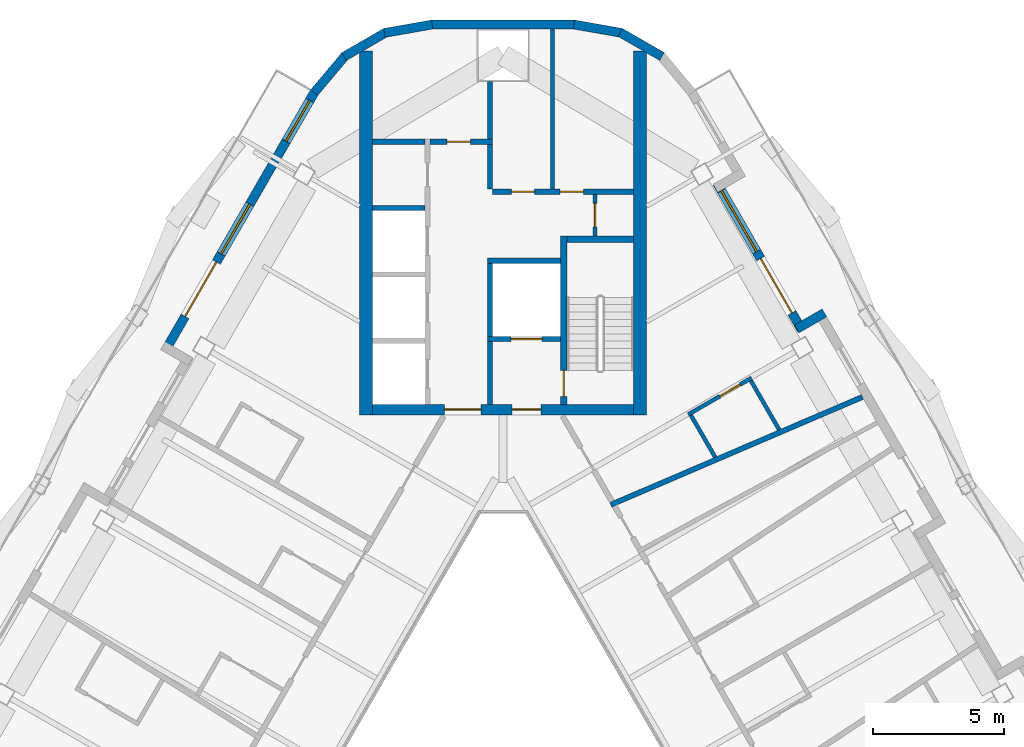
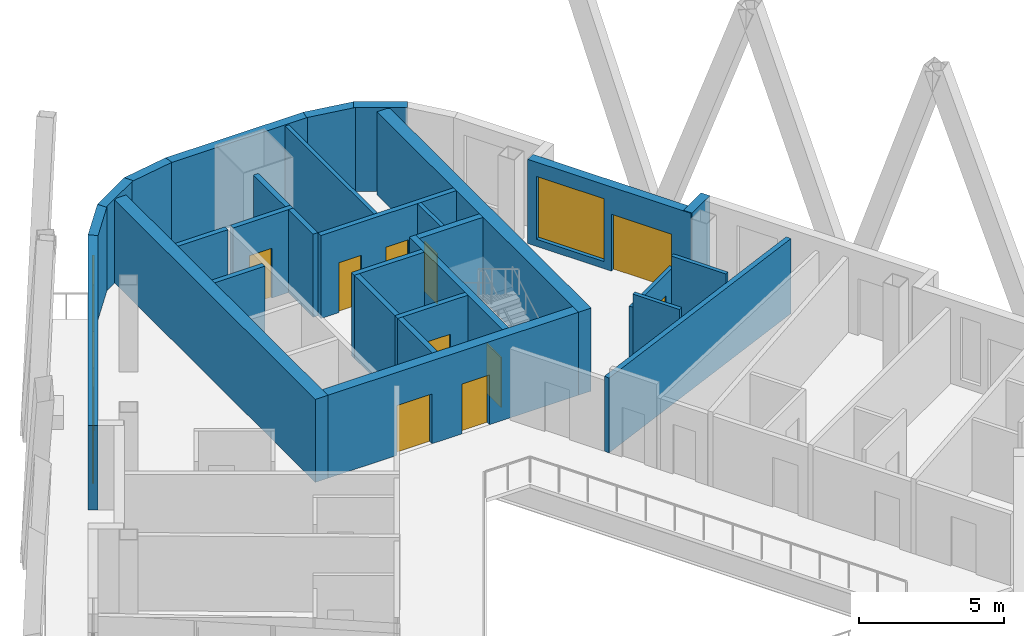
# One storey, part 7 of 14: 30 walls, 11 doors, 3 windows, 14 openings.
"""IFC4 building model written with IfcOpenShell, lengths in metres."""

from ifc_helpers import new_model, si_unit, direction, frame, frame_2d, origin, place, context, subcontext, project, spatial, rectangle, extrude, material, layer, layer_set, type_object, element, fill, save


model = new_model("IFC4")

# Units and contexts
model_context = context("Model", 3, precision=1e-05, world=origin(), true_north=direction((0.0, 1.0)))
body_context = subcontext(model_context, "Body", "Model", "MODEL_VIEW")
ifc_project = project(units=[si_unit("LENGTHUNIT", "METRE"), si_unit("AREAUNIT", "SQUARE_METRE"), si_unit("VOLUMEUNIT", "CUBIC_METRE"), si_unit("PLANEANGLEUNIT", "RADIAN"), si_unit("MASSUNIT", "GRAM", prefix="KILO")], contexts=[model_context])

# Site, building, storey
site_placement = place(None, origin())
site = spatial("IfcSite", under=ifc_project, at=site_placement, CompositionType="ELEMENT")
building_placement = place(site_placement, origin())
building = spatial("IfcBuilding", under=site, at=building_placement, Name="Apuvela Tower Hotel", CompositionType="ELEMENT")
storey_placement = place(building_placement, frame((0.0, 0.0, 257.800048828125)))
storey = spatial("IfcBuildingStorey", under=building, at=storey_placement, Name="L63", CompositionType="ELEMENT", Elevation=257.800048828125)

# Wall, openings, doors
ifc_material_1 = material(Name="Concrete C50/60", Category="concrete")
ifc_layer_1 = layer(ifc_material_1, 0.39990234375)
ifc_layer_set_1 = layer_set([ifc_layer_1], Name="COR-WALL-CORE-400")
wall_type_1 = type_object("IfcWallType", Name="COR-WALL-CORE-400", PredefinedType="SHEAR", material=ifc_layer_set_1)
wall_1_placement = place(storey_placement, frame((5.0, 13.10009765625, 0.0), z_axis=(0.0, 0.0, 1.0), x_axis=(-1.0, 0.0, 0.0)))
wall_1 = element("IfcWall", 1, at=wall_1_placement, inside=storey, type_object=wall_type_1, Name="Core wall N", PredefinedType="SHEAR", context=body_context, shape_type="SweptSolid", body=[
    extrude(rectangle(XDim=10.0, YDim=0.39990234375, at=frame_2d((5.0, 0.0))), origin(), (0.0, 0.0, 1.0), 3.5),
])
opening_1_placement = place(wall_1_placement, frame((3.550048828125, 0.0, 0.0)))
opening_1 = element("IfcOpeningElement", 2, at=opening_1_placement, cuts=wall_1, Name="Opening N-FD", PredefinedType="OPENING", context=body_context, shape_type="SweptSolid", body=[
    extrude(rectangle(XDim=1.10009765625, YDim=2.10009765625, at=frame_2d((0.550048828125, 1.050048828125))), frame((0.0, 0.2099609375, 0.0), z_axis=(0.0, -1.0, 0.0), x_axis=(1.0, 0.0, 0.0)), (0.0, 0.0, 1.0), 0.419921875),
])
opening_2_placement = place(wall_1_placement, frame((5.85009765625, 0.0, 0.0)))
opening_2 = element("IfcOpeningElement", 3, at=opening_2_placement, cuts=wall_1, Name="Opening N-GD", PredefinedType="OPENING", context=body_context, shape_type="SweptSolid", body=[
    extrude(rectangle(XDim=1.39990234375, YDim=2.10009765625, at=frame_2d((0.699951171875, 1.050048828125))), frame((0.0, 0.2099609375, 0.0), z_axis=(0.0, -1.0, 0.0), x_axis=(1.0, 0.0, 0.0)), (0.0, 0.0, 1.0), 0.419921875),
])
ifc_material_2 = material(Name="Steel fire door, powder coated", Category="steel")
door_type_1 = type_object("IfcDoorType", Name="COR-FD-1100", OperationType="NOTDEFINED", PredefinedType="DOOR", material=ifc_material_2)
door_1_placement = place(opening_1_placement, frame((1.10009765625, 0.0, 0.0), z_axis=(0.0, 0.0, 1.0), x_axis=(-1.0, 0.0, 0.0)))
door_1 = element("IfcDoor", 4, at=door_1_placement, inside=storey, type_object=door_type_1, Name="Firefighting lobby door N-FD", OperationType="SINGLE_SWING_LEFT", OverallHeight=2.10009765625, OverallWidth=1.10009765625, PredefinedType="DOOR", context=body_context, shape_type="SweptSolid", body=[
    extrude(rectangle(XDim=1.10009765625, YDim=2.10009765625, at=frame_2d((0.550048828125, 1.050048828125))), frame((0.0, 0.02490234375, 0.0), z_axis=(0.0, -1.0, 0.0), x_axis=(1.0, 0.0, 0.0)), (0.0, 0.0, 1.0), 0.050048828125),
])
fill(opening_1, door_1)
ifc_material_3 = material(Name="Glazed steel fire door", Category="steel")
door_type_2 = type_object("IfcDoorType", Name="COR-GD-1400", OperationType="DOUBLE_DOOR_SINGLE_SWING", PredefinedType="DOOR", material=ifc_material_3)
door_2_placement = place(opening_2_placement, frame((1.39990234375, 0.0, 0.0), z_axis=(0.0, 0.0, 1.0), x_axis=(-1.0, 0.0, 0.0)))
door_2 = element("IfcDoor", 5, at=door_2_placement, inside=storey, type_object=door_type_2, Name="Lift lobby door N-GD", OperationType="DOUBLE_DOOR_SINGLE_SWING", OverallHeight=2.10009765625, OverallWidth=1.39990234375, PredefinedType="DOOR", context=body_context, shape_type="SweptSolid", body=[
    extrude(rectangle(XDim=1.39990234375, YDim=2.10009765625, at=frame_2d((0.699951171875, 1.050048828125))), frame((0.0, 0.02490234375, 0.0), z_axis=(0.0, -1.0, 0.0), x_axis=(1.0, 0.0, 0.0)), (0.0, 0.0, 1.0), 0.050048828125),
])
fill(opening_2, door_2)

# Walls
ifc_layer_2 = layer(ifc_material_1, 0.5)
ifc_layer_set_2 = layer_set([ifc_layer_2], Name="COR-WALL-CORE-500")
wall_type_2 = type_object("IfcWallType", Name="COR-WALL-CORE-500", PredefinedType="SHEAR", material=ifc_layer_set_2)
for number, where, z_axis, x_axis, name in (
    (6, (5.25, 12.89990234375, 0.0), (0.0, 0.0, 1.0), (0.0, 1.0, 0.0), "Core wall N"),
    (7, (-5.25, 12.89990234375, 0.0), (0.0, 0.0, 1.0), (0.0, 1.0, 0.0), "Core wall N"),
):
    element("IfcWall", number, at=place(storey_placement, frame(where, z_axis=z_axis, x_axis=x_axis)), inside=storey, type_object=wall_type_2, Name=name, PredefinedType="SHEAR", context=body_context, shape_type="SweptSolid", body=[
        extrude(rectangle(XDim=13.93408203125, YDim=0.5, at=frame_2d((6.967041015625, 0.0))), origin(), (0.0, 0.0, 1.0), 3.5),
    ])

# Wall, opening, door
ifc_material_4 = material(Name="Blockwork 150 mm plastered", Category="masonry")
ifc_layer_3 = layer(ifc_material_4, 0.14990234375)
ifc_layer_set_3 = layer_set([ifc_layer_3], Name="COR-WALL-PART-150")
wall_type_3 = type_object("IfcWallType", Name="COR-WALL-PART-150", PredefinedType="PARTITIONING", material=ifc_layer_set_3)
wall_2_placement = place(storey_placement, frame((3.52490234375, 19.75, 0.0), z_axis=(0.0, 0.0, 1.0), x_axis=(0.0, 1.0, 0.0)))
wall_2 = element("IfcWall", 8, at=wall_2_placement, inside=storey, type_object=wall_type_3, Name="Partition N", PredefinedType="PARTITIONING", context=body_context, shape_type="SweptSolid", body=[
    extrude(rectangle(XDim=1.60009765625, YDim=0.14990234375, at=frame_2d((0.800048828125, 0.0))), origin(), (0.0, 0.0, 1.0), 3.5),
])
opening_3_placement = place(wall_2_placement, frame((0.35009765625, 0.0, 0.0)))
opening_3 = element("IfcOpeningElement", 9, at=opening_3_placement, cuts=wall_2, Name="Opening N-RD", PredefinedType="OPENING", context=body_context, shape_type="SweptSolid", body=[
    extrude(rectangle(XDim=0.89990234375, YDim=2.10009765625, at=frame_2d((0.449951171875, 1.050048828125))), frame((0.0, 0.0849609375, 0.0), z_axis=(0.0, -1.0, 0.0), x_axis=(1.0, 0.0, 0.0)), (0.0, 0.0, 1.0), 0.169921875),
])
ifc_material_5 = material(Name="Steel access door, powder coated", Category="steel")
door_type_3 = type_object("IfcDoorType", Name="COR-RD-900", OperationType="NOTDEFINED", PredefinedType="DOOR", material=ifc_material_5)
door_3_placement = place(opening_3_placement, frame((0.89990234375, 0.0, 0.0), z_axis=(0.0, 0.0, 1.0), x_axis=(-1.0, 0.0, 0.0)))
door_3 = element("IfcDoor", 10, at=door_3_placement, inside=storey, type_object=door_type_3, Name="Riser door N-RD", OperationType="SINGLE_SWING_RIGHT", OverallHeight=2.10009765625, OverallWidth=0.89990234375, PredefinedType="DOOR", context=body_context, shape_type="SweptSolid", body=[
    extrude(rectangle(XDim=0.89990234375, YDim=2.10009765625, at=frame_2d((0.449951171875, 1.050048828125))), frame((0.0, 0.02490234375, 0.0), z_axis=(0.0, -1.0, 0.0), x_axis=(1.0, 0.0, 0.0)), (0.0, 0.0, 1.0), 0.050048828125),
])
fill(opening_3, door_3)

# Wall
wall_3_placement = place(storey_placement, frame((1.89990234375, 21.550048828125, 0.0), z_axis=(0.0, 0.0, 1.0), x_axis=(0.0, 1.0, 0.0)))
element("IfcWall", 11, at=wall_3_placement, inside=storey, type_object=wall_type_3, Name="Partition N", PredefinedType="PARTITIONING", context=body_context, shape_type="SweptSolid", body=[
    extrude(rectangle(XDim=6.126220703125, YDim=0.14990234375, at=frame_2d((3.06298828125, 0.0))), origin(), (0.0, 0.0, 1.0), 3.5),
])

# Wall, openings, doors
ifc_material_6 = material(Name="Blockwork 200 mm plastered", Category="masonry")
ifc_layer_4 = layer(ifc_material_6, 0.199951171875)
ifc_layer_set_4 = layer_set([ifc_layer_4], Name="COR-WALL-PART-200")
wall_type_4 = type_object("IfcWallType", Name="COR-WALL-PART-200", PredefinedType="PARTITIONING", material=ifc_layer_set_4)
wall_4_placement = place(storey_placement, frame((5.0, 21.449951171875, 0.0), z_axis=(0.0, 0.0, 1.0), x_axis=(-1.0, 0.0, 0.0)))
wall_4 = element("IfcWall", 12, at=wall_4_placement, inside=storey, type_object=wall_type_4, Name="Partition N", PredefinedType="PARTITIONING", context=body_context, shape_type="SweptSolid", body=[
    extrude(rectangle(XDim=5.39990234375, YDim=0.199951171875, at=frame_2d((2.699951171875, 0.0))), origin(), (0.0, 0.0, 1.0), 3.5),
])
opening_4_placement = place(wall_4_placement, frame((1.91259765625, 0.0, 0.0)))
opening_4 = element("IfcOpeningElement", 13, at=opening_4_placement, cuts=wall_4, Name="Opening N-RS1", PredefinedType="OPENING", context=body_context, shape_type="SweptSolid", body=[
    extrude(rectangle(XDim=0.89990234375, YDim=2.10009765625, at=frame_2d((0.449951171875, 1.050048828125))), frame((0.0, 0.10986328125, 0.0), z_axis=(0.0, -1.0, 0.0), x_axis=(1.0, 0.0, 0.0)), (0.0, 0.0, 1.0), 0.219970703125),
])
opening_5_placement = place(wall_4_placement, frame((3.78759765625, 0.0, 0.0)))
opening_5 = element("IfcOpeningElement", 14, at=opening_5_placement, cuts=wall_4, Name="Opening N-RS2", PredefinedType="OPENING", context=body_context, shape_type="SweptSolid", body=[
    extrude(rectangle(XDim=0.89990234375, YDim=2.10009765625, at=frame_2d((0.449951171875, 1.050048828125))), frame((0.0, 0.10986328125, 0.0), z_axis=(0.0, -1.0, 0.0), x_axis=(1.0, 0.0, 0.0)), (0.0, 0.0, 1.0), 0.219970703125),
])
door_type_4 = type_object("IfcDoorType", Name="COR-DR-900", OperationType="NOTDEFINED", PredefinedType="DOOR", material=ifc_material_2)
door_4_placement = place(opening_4_placement, frame((0.89990234375, 0.0, 0.0), z_axis=(0.0, 0.0, 1.0), x_axis=(-1.0, 0.0, 0.0)))
door_4 = element("IfcDoor", 15, at=door_4_placement, inside=storey, type_object=door_type_4, Name="Store door N-RS1", OperationType="SINGLE_SWING_LEFT", OverallHeight=2.10009765625, OverallWidth=0.89990234375, PredefinedType="DOOR", context=body_context, shape_type="SweptSolid", body=[
    extrude(rectangle(XDim=0.89990234375, YDim=2.10009765625, at=frame_2d((0.449951171875, 1.050048828125))), frame((0.0, 0.02490234375, 0.0), z_axis=(0.0, -1.0, 0.0), x_axis=(1.0, 0.0, 0.0)), (0.0, 0.0, 1.0), 0.050048828125),
])
fill(opening_4, door_4)
door_5_placement = place(opening_5_placement, frame((0.89990234375, 0.0, 0.0), z_axis=(0.0, 0.0, 1.0), x_axis=(-1.0, 0.0, 0.0)))
door_5 = element("IfcDoor", 16, at=door_5_placement, inside=storey, type_object=door_type_4, Name="Store door N-RS2", OperationType="SINGLE_SWING_RIGHT", OverallHeight=2.10009765625, OverallWidth=0.89990234375, PredefinedType="DOOR", context=body_context, shape_type="SweptSolid", body=[
    extrude(rectangle(XDim=0.89990234375, YDim=2.10009765625, at=frame_2d((0.449951171875, 1.050048828125))), frame((0.0, 0.02490234375, 0.0), z_axis=(0.0, -1.0, 0.0), x_axis=(1.0, 0.0, 0.0)), (0.0, 0.0, 1.0), 0.050048828125),
])
fill(opening_5, door_5)

# Wall
ifc_layer_5 = layer(ifc_material_1, 0.199951171875)
ifc_layer_set_5 = layer_set([ifc_layer_5], Name="COR-WALL-SHAFT-200")
wall_type_5 = type_object("IfcWallType", Name="COR-WALL-SHAFT-200", PredefinedType="SHEAR", material=ifc_layer_set_5)
wall_5_placement = place(storey_placement, frame((2.199951171875, 18.800048828125, 0.0), z_axis=(0.0, 0.0, 1.0), x_axis=(-1.0, 0.0, 0.0)))
element("IfcWall", 17, at=wall_5_placement, inside=storey, type_object=wall_type_5, Name="Shaft wall N", PredefinedType="SHEAR", context=body_context, shape_type="SweptSolid", body=[
    extrude(rectangle(XDim=2.800048828125, YDim=0.199951171875, at=frame_2d((1.39990234375, 0.0))), origin(), (0.0, 0.0, 1.0), 3.5),
])

# Wall, opening, door
wall_6_placement = place(storey_placement, frame((2.199951171875, 15.800048828125, 0.0), z_axis=(0.0, 0.0, 1.0), x_axis=(-1.0, 0.0, 0.0)))
wall_6 = element("IfcWall", 18, at=wall_6_placement, inside=storey, type_object=wall_type_5, Name="Shaft wall N", PredefinedType="SHEAR", context=body_context, shape_type="SweptSolid", body=[
    extrude(rectangle(XDim=2.800048828125, YDim=0.199951171875, at=frame_2d((1.39990234375, 0.0))), origin(), (0.0, 0.0, 1.0), 3.5),
])
opening_6_placement = place(wall_6_placement, frame((0.699951171875, 0.0, 0.0)))
opening_6 = element("IfcOpeningElement", 19, at=opening_6_placement, cuts=wall_6, Name="Opening N-LD-FS1", PredefinedType="OPENING", context=body_context, shape_type="SweptSolid", body=[
    extrude(rectangle(XDim=1.199951171875, YDim=2.10009765625, at=frame_2d((0.60009765625, 1.050048828125))), frame((0.0, 0.10986328125, 0.0), z_axis=(0.0, -1.0, 0.0), x_axis=(1.0, 0.0, 0.0)), (0.0, 0.0, 1.0), 0.219970703125),
])
ifc_material_7 = material(Name="Stainless steel lift landing door", Category="steel")
door_type_5 = type_object("IfcDoorType", Name="COR-LD-1200", OperationType="DOUBLE_DOOR_SLIDING", PredefinedType="DOOR", material=ifc_material_7)
door_6_placement = place(opening_6_placement, origin())
door_6 = element("IfcDoor", 20, at=door_6_placement, inside=storey, type_object=door_type_5, Name="Lift landing door N-LD-FS1", OperationType="DOUBLE_DOOR_SLIDING", OverallHeight=2.10009765625, OverallWidth=1.199951171875, PredefinedType="DOOR", context=body_context, shape_type="SweptSolid", body=[
    extrude(rectangle(XDim=1.199951171875, YDim=2.10009765625, at=frame_2d((0.60009765625, 1.050048828125))), frame((0.0, 0.02490234375, 0.0), z_axis=(0.0, -1.0, 0.0), x_axis=(1.0, 0.0, 0.0)), (0.0, 0.0, 1.0), 0.050048828125),
])
fill(opening_6, door_6)

# Walls
wall_7_placement = place(storey_placement, frame((-0.5, 15.89990234375, 0.0), z_axis=(0.0, 0.0, 1.0), x_axis=(0.0, 1.0, 0.0)))
element("IfcWall", 21, at=wall_7_placement, inside=storey, type_object=wall_type_5, Name="Shaft wall N", PredefinedType="SHEAR", context=body_context, shape_type="SweptSolid", body=[
    extrude(rectangle(XDim=2.800048828125, YDim=0.199951171875, at=frame_2d((1.39990234375, 0.0))), origin(), (0.0, 0.0, 1.0), 3.5),
])
wall_8_placement = place(storey_placement, frame((-0.5, 13.300048828125, 0.0), z_axis=(0.0, 0.0, 1.0), x_axis=(0.0, 1.0, 0.0)))
element("IfcWall", 22, at=wall_8_placement, inside=storey, type_object=wall_type_5, Name="Shaft wall N", PredefinedType="SHEAR", context=body_context, shape_type="SweptSolid", body=[
    extrude(rectangle(XDim=2.39990234375, YDim=0.199951171875, at=frame_2d((1.199951171875, 0.0))), origin(), (0.0, 0.0, 1.0), 3.5),
])

# Wall, opening, door
wall_9_placement = place(storey_placement, frame((-0.39990234375, 23.360107421875, 0.0), z_axis=(0.0, 0.0, 1.0), x_axis=(-1.0, 0.0, 0.0)))
wall_9 = element("IfcWall", 23, at=wall_9_placement, inside=storey, type_object=wall_type_5, Name="Shaft wall N", PredefinedType="SHEAR", context=body_context, shape_type="SweptSolid", body=[
    extrude(rectangle(XDim=2.400146484375, YDim=0.199951171875, at=frame_2d((1.2001953125, 0.0))), origin(), (0.0, 0.0, 1.0), 3.5),
])
opening_7_placement = place(wall_9_placement, frame((0.85009765625, 0.0, 0.0)))
opening_7 = element("IfcOpeningElement", 24, at=opening_7_placement, cuts=wall_9, Name="Opening N-REP", PredefinedType="OPENING", context=body_context, shape_type="SweptSolid", body=[
    extrude(rectangle(XDim=0.89990234375, YDim=2.10009765625, at=frame_2d((0.449951171875, 1.050048828125))), frame((0.0, 0.10986328125, 0.0), z_axis=(0.0, -1.0, 0.0), x_axis=(1.0, 0.0, 0.0)), (0.0, 0.0, 1.0), 0.219970703125),
])
door_7_placement = place(opening_7_placement, frame((0.89990234375, 0.0, 0.0), z_axis=(0.0, 0.0, 1.0), x_axis=(-1.0, 0.0, 0.0)))
door_7 = element("IfcDoor", 25, at=door_7_placement, inside=storey, type_object=door_type_4, Name="Store door N-REP", OperationType="SINGLE_SWING_LEFT", OverallHeight=2.10009765625, OverallWidth=0.89990234375, PredefinedType="DOOR", context=body_context, shape_type="SweptSolid", body=[
    extrude(rectangle(XDim=0.89990234375, YDim=2.10009765625, at=frame_2d((0.449951171875, 1.050048828125))), frame((0.0, 0.02490234375, 0.0), z_axis=(0.0, -1.0, 0.0), x_axis=(1.0, 0.0, 0.0)), (0.0, 0.0, 1.0), 0.050048828125),
])
fill(opening_7, door_7)

# Walls
wall_10_placement = place(storey_placement, frame((-0.5, 21.550048828125, 0.0), z_axis=(0.0, 0.0, 1.0), x_axis=(0.0, 1.0, 0.0)))
element("IfcWall", 26, at=wall_10_placement, inside=storey, type_object=wall_type_5, Name="Shaft wall N", PredefinedType="SHEAR", context=body_context, shape_type="SweptSolid", body=[
    extrude(rectangle(XDim=1.7099609375, YDim=0.199951171875, at=frame_2d((0.85498046875, 0.0))), origin(), (0.0, 0.0, 1.0), 3.5),
])
for number, where, z_axis, x_axis, name in (
    (27, (-3.0, 20.820068359375, 0.0), (0.0, 0.0, 1.0), (-1.0, 0.0, 0.0), "Shaft wall N"),
    (28, (-3.0, 23.360107421875, 0.0), (0.0, 0.0, 1.0), (-1.0, 0.0, 0.0), "Shaft wall N"),
):
    element("IfcWall", number, at=place(storey_placement, frame(where, z_axis=z_axis, x_axis=x_axis)), inside=storey, type_object=wall_type_5, Name=name, PredefinedType="SHEAR", context=body_context, shape_type="SweptSolid", body=[
        extrude(rectangle(XDim=2.0, YDim=0.199951171875, at=frame_2d((1.0, 0.0))), origin(), (0.0, 0.0, 1.0), 3.5),
    ])
wall_11_placement = place(storey_placement, frame((-0.5, 23.4599609375, 0.0), z_axis=(0.0, 0.0, 1.0), x_axis=(0.0, 1.0, 0.0)))
element("IfcWall", 29, at=wall_11_placement, inside=storey, type_object=wall_type_5, Name="Shaft wall N", PredefinedType="SHEAR", context=body_context, shape_type="SweptSolid", body=[
    extrude(rectangle(XDim=2.21630859375, YDim=0.199951171875, at=frame_2d((1.108154296875, 0.0))), origin(), (0.0, 0.0, 1.0), 3.5),
])

# Wall, opening, door
ifc_layer_6 = layer(ifc_material_1, 0.25)
ifc_layer_set_6 = layer_set([ifc_layer_6], Name="COR-WALL-STAIR-250")
wall_type_6 = type_object("IfcWallType", Name="COR-WALL-STAIR-250", PredefinedType="SHEAR", material=ifc_layer_set_6)
wall_12_placement = place(storey_placement, frame((2.324951171875, 13.300048828125, 0.0), z_axis=(0.0, 0.0, 1.0), x_axis=(0.0, 1.0, 0.0)))
wall_12 = element("IfcWall", 30, at=wall_12_placement, inside=storey, type_object=wall_type_6, Name="Stair wall N", PredefinedType="SHEAR", context=body_context, shape_type="SweptSolid", body=[
    extrude(rectangle(XDim=6.449951171875, YDim=0.25, at=frame_2d((3.22509765625, 0.0))), origin(), (0.0, 0.0, 1.0), 3.5),
])
opening_8_placement = place(wall_12_placement, frame((0.300048828125, 0.0, 0.0)))
opening_8 = element("IfcOpeningElement", 31, at=opening_8_placement, cuts=wall_12, Name="Opening N-SD", PredefinedType="OPENING", context=body_context, shape_type="SweptSolid", body=[
    extrude(rectangle(XDim=1.0, YDim=2.10009765625, at=frame_2d((0.5, 1.050048828125))), frame((0.0, 0.135009765625, 0.0), z_axis=(0.0, -1.0, 0.0), x_axis=(1.0, 0.0, 0.0)), (0.0, 0.0, 1.0), 0.27001953125),
])
door_type_6 = type_object("IfcDoorType", Name="COR-SD-1000", OperationType="NOTDEFINED", PredefinedType="DOOR", material=ifc_material_2)
door_8_placement = place(opening_8_placement, frame((1.0, 0.0, 0.0), z_axis=(0.0, 0.0, 1.0), x_axis=(-1.0, 0.0, 0.0)))
door_8 = element("IfcDoor", 32, at=door_8_placement, inside=storey, type_object=door_type_6, Name="Stair door N-SD", OperationType="SINGLE_SWING_LEFT", OverallHeight=2.10009765625, OverallWidth=1.0, PredefinedType="DOOR", context=body_context, shape_type="SweptSolid", body=[
    extrude(rectangle(XDim=1.0, YDim=2.10009765625, at=frame_2d((0.5, 1.050048828125))), frame((0.0, 0.02490234375, 0.0), z_axis=(0.0, -1.0, 0.0), x_axis=(1.0, 0.0, 0.0)), (0.0, 0.0, 1.0), 0.050048828125),
])
fill(opening_8, door_8)

# Wall
wall_13_placement = place(storey_placement, frame((5.0, 19.625, 0.0), z_axis=(0.0, 0.0, 1.0), x_axis=(-1.0, 0.0, 0.0)))
element("IfcWall", 33, at=wall_13_placement, inside=storey, type_object=wall_type_6, Name="Stair wall N", PredefinedType="SHEAR", context=body_context, shape_type="SweptSolid", body=[
    extrude(rectangle(XDim=2.550048828125, YDim=0.25, at=frame_2d((1.27490234375, 0.0))), origin(), (0.0, 0.0, 1.0), 3.5),
])

# Wall, openings, door, windows
ifc_material_8 = material(Name="Concrete C40/50, dark pigmented precast panel", Category="concrete")
ifc_layer_7 = layer(ifc_material_8, 0.35009765625)
ifc_layer_set_7 = layer_set([ifc_layer_7], Name="ENV-WALL-350")
wall_type_7 = type_object("IfcWallType", Name="ENV-WALL-350", PredefinedType="SOLIDWALL", material=ifc_layer_set_7)
wall_14_placement = place(storey_placement, frame((-7.22119140625, 25.268310546875, 0.0), z_axis=(0.0, 0.0, 1.0), x_axis=(-0.499999932627, -0.866025442683, 0.0)))
wall_14 = element("IfcWall", 34, at=wall_14_placement, inside=storey, type_object=wall_type_7, Name="External wall L63-01", PredefinedType="SOLIDWALL", context=body_context, shape_type="SweptSolid", body=[
    extrude(rectangle(XDim=11.50048828125, YDim=0.35009765625, at=frame_2d((5.750244140625, 0.0))), origin(), (0.0, 0.0, 1.0), 3.550048828125),
])
opening_9_placement = place(wall_14_placement, frame((0.380615234375, 0.0, 0.300048828125)))
opening_9 = element("IfcOpeningElement", 35, at=opening_9_placement, cuts=wall_14, Name="Opening WN18", PredefinedType="OPENING", context=body_context, shape_type="SweptSolid", body=[
    extrude(rectangle(XDim=1.800048828125, YDim=2.64990234375, at=frame_2d((0.89990234375, 1.324951171875))), frame((0.0, 0.18505859375, 0.0), z_axis=(0.0, -1.0, 0.0), x_axis=(1.0, 0.0, 0.0)), (0.0, 0.0, 1.0), 0.3701171875),
])
opening_10_placement = place(wall_14_placement, frame((7.52490234375, 0.0, 0.0)))
opening_10 = element("IfcOpeningElement", 36, at=opening_10_placement, cuts=wall_14, Name="Opening BD24", PredefinedType="OPENING", context=body_context, shape_type="SweptSolid", body=[
    extrude(rectangle(XDim=2.39990234375, YDim=2.39990234375, at=frame_2d((1.199951171875, 1.199951171875))), frame((0.0, 0.18505859375, 0.0), z_axis=(0.0, -1.0, 0.0), x_axis=(1.0, 0.0, 0.0)), (0.0, 0.0, 1.0), 0.3701171875),
])
opening_11_placement = place(wall_14_placement, frame((4.96435546875, 0.0, 0.300048828125)))
opening_11 = element("IfcOpeningElement", 37, at=opening_11_placement, cuts=wall_14, Name="Opening WN22", PredefinedType="OPENING", context=body_context, shape_type="SweptSolid", body=[
    extrude(rectangle(XDim=2.199951171875, YDim=2.64990234375, at=frame_2d((1.10009765625, 1.324951171875))), frame((0.0, 0.18505859375, 0.0), z_axis=(0.0, -1.0, 0.0), x_axis=(1.0, 0.0, 0.0)), (0.0, 0.0, 1.0), 0.3701171875),
])
ifc_material_9 = material(Name="Aluminium 6063-T6, dark bronze anodised frame with dark tinted laminated glass", Category="aluminium")
door_type_7 = type_object("IfcDoorType", Name="ENV-DOOR-BALCONY-2400x2400", OperationType="SLIDING_TO_LEFT", PredefinedType="DOOR", material=ifc_material_9)
door_9_placement = place(opening_10_placement, frame((2.39990234375, 0.0, 0.0), z_axis=(0.0, 0.0, 1.0), x_axis=(-1.0, 0.0, 0.0)))
door_9 = element("IfcDoor", 38, at=door_9_placement, inside=storey, type_object=door_type_7, Name="Balcony door BD24", OperationType="SLIDING_TO_LEFT", OverallHeight=2.39990234375, OverallWidth=2.39990234375, PredefinedType="DOOR", context=body_context, shape_type="SweptSolid", body=[
    extrude(rectangle(XDim=2.39990234375, YDim=2.39990234375, at=frame_2d((1.199951171875, 1.199951171875))), frame((0.0, 0.02490234375, 0.0), z_axis=(0.0, -1.0, 0.0), x_axis=(1.0, 0.0, 0.0)), (0.0, 0.0, 1.0), 0.050048828125),
])
fill(opening_10, door_9)
ifc_material_10 = material(Name="Glass, dark tinted laminated insulated glazing unit", Category="glass")
window_type_1 = type_object("IfcWindowType", Name="ENV-WIN-1800x2650", PartitioningType="SINGLE_PANEL", PredefinedType="WINDOW", material=ifc_material_10)
window_1_placement = place(opening_9_placement, origin())
window_1 = element("IfcWindow", 39, at=window_1_placement, inside=storey, type_object=window_type_1, Name="Window WN18", OverallHeight=2.64990234375, OverallWidth=1.800048828125, PartitioningType="SINGLE_PANEL", PredefinedType="WINDOW", context=body_context, shape_type="SweptSolid", body=[
    extrude(rectangle(XDim=1.800048828125, YDim=2.64990234375, at=frame_2d((0.89990234375, 1.324951171875))), frame((0.0, 0.030029296875, 0.0), z_axis=(0.0, -1.0, 0.0), x_axis=(1.0, 0.0, 0.0)), (0.0, 0.0, 1.0), 0.06005859375),
])
fill(opening_9, window_1)
window_type_2 = type_object("IfcWindowType", Name="ENV-WIN-2200x2650", PartitioningType="SINGLE_PANEL", PredefinedType="WINDOW", material=ifc_material_10)
window_2_placement = place(opening_11_placement, origin())
window_2 = element("IfcWindow", 40, at=window_2_placement, inside=storey, type_object=window_type_2, Name="Window WN22", OverallHeight=2.64990234375, OverallWidth=2.199951171875, PartitioningType="SINGLE_PANEL", PredefinedType="WINDOW", context=body_context, shape_type="SweptSolid", body=[
    extrude(rectangle(XDim=2.199951171875, YDim=2.64990234375, at=frame_2d((1.10009765625, 1.324951171875))), frame((0.0, 0.030029296875, 0.0), z_axis=(0.0, -1.0, 0.0), x_axis=(1.0, 0.0, 0.0)), (0.0, 0.0, 1.0), 0.06005859375),
])
fill(opening_11, window_2)

# Wall
wall_15_placement = place(storey_placement, frame((12.310546875, 16.803466796875, 0.0), z_axis=(0.0, 0.0, 1.0), x_axis=(-0.866005645448, -0.500034220881, 0.0)))
element("IfcWall", 41, at=wall_15_placement, inside=storey, type_object=wall_type_7, Name="External wall L63-38", PredefinedType="SOLIDWALL", context=body_context, shape_type="SweptSolid", body=[
    extrude(rectangle(XDim=1.22021484375, YDim=0.35009765625, at=frame_2d((0.610107421875, 0.0))), origin(), (0.0, 0.0, 1.0), 3.550048828125),
])

# Wall, openings, door, window
wall_16_placement = place(storey_placement, frame((11.451904296875, 16.140380859375, 0.0), z_axis=(0.0, 0.0, 1.0), x_axis=(-0.49998210071, 0.866035737698, 0.0)))
wall_16 = element("IfcWall", 42, at=wall_16_placement, inside=storey, type_object=wall_type_7, Name="External wall L63-39", PredefinedType="SOLIDWALL", context=body_context, shape_type="SweptSolid", body=[
    extrude(rectangle(XDim=6.511474609375, YDim=0.35009765625, at=frame_2d((3.255859375, 0.0))), origin(), (0.0, 0.0, 1.0), 3.550048828125),
])
opening_12_placement = place(wall_16_placement, frame((0.77001953125, 0.0, 0.0)))
opening_12 = element("IfcOpeningElement", 43, at=opening_12_placement, cuts=wall_16, Name="Opening BD24", PredefinedType="OPENING", context=body_context, shape_type="SweptSolid", body=[
    extrude(rectangle(XDim=2.39990234375, YDim=2.39990234375, at=frame_2d((1.199951171875, 1.199951171875))), frame((0.0, 0.18505859375, 0.0), z_axis=(0.0, -1.0, 0.0), x_axis=(1.0, 0.0, 0.0)), (0.0, 0.0, 1.0), 0.3701171875),
])
opening_13_placement = place(wall_16_placement, frame((3.469970703125, 0.0, 0.300048828125)))
opening_13 = element("IfcOpeningElement", 44, at=opening_13_placement, cuts=wall_16, Name="Opening WN27", PredefinedType="OPENING", context=body_context, shape_type="SweptSolid", body=[
    extrude(rectangle(XDim=2.699951171875, YDim=2.64990234375, at=frame_2d((1.35009765625, 1.324951171875))), frame((0.0, 0.18505859375, 0.0), z_axis=(0.0, -1.0, 0.0), x_axis=(1.0, 0.0, 0.0)), (0.0, 0.0, 1.0), 0.3701171875),
])
door_10_placement = place(opening_12_placement, frame((2.39990234375, 0.0, 0.0), z_axis=(0.0, 0.0, 1.0), x_axis=(-1.0, 0.0, 0.0)))
door_10 = element("IfcDoor", 45, at=door_10_placement, inside=storey, type_object=door_type_7, Name="Balcony door BD24", OperationType="SLIDING_TO_LEFT", OverallHeight=2.39990234375, OverallWidth=2.39990234375, PredefinedType="DOOR", context=body_context, shape_type="SweptSolid", body=[
    extrude(rectangle(XDim=2.39990234375, YDim=2.39990234375, at=frame_2d((1.199951171875, 1.199951171875))), frame((0.0, 0.02490234375, 0.0), z_axis=(0.0, -1.0, 0.0), x_axis=(1.0, 0.0, 0.0)), (0.0, 0.0, 1.0), 0.050048828125),
])
fill(opening_12, door_10)
window_type_3 = type_object("IfcWindowType", Name="ENV-WIN-2700x2650", PartitioningType="SINGLE_PANEL", PredefinedType="WINDOW", material=ifc_material_10)
window_3_placement = place(opening_13_placement, origin())
window_3 = element("IfcWindow", 46, at=window_3_placement, inside=storey, type_object=window_type_3, Name="Window WN27", OverallHeight=2.64990234375, OverallWidth=2.699951171875, PartitioningType="SINGLE_PANEL", PredefinedType="WINDOW", context=body_context, shape_type="SweptSolid", body=[
    extrude(rectangle(XDim=2.699951171875, YDim=2.64990234375, at=frame_2d((1.35009765625, 1.324951171875))), frame((0.0, 0.030029296875, 0.0), z_axis=(0.0, -1.0, 0.0), x_axis=(1.0, 0.0, 0.0)), (0.0, 0.0, 1.0), 0.06005859375),
])
fill(opening_13, window_3)

# Walls
wall_17_placement = place(storey_placement, frame((6.093017578125, 26.625244140625, 0.0), z_axis=(0.0, 0.0, 1.0), x_axis=(-0.866080385203, 0.499904757295, 0.0)))
element("IfcWall", 47, at=wall_17_placement, inside=storey, type_object=wall_type_7, Name="External wall L63-43", PredefinedType="SOLIDWALL", context=body_context, shape_type="SweptSolid", body=[
    extrude(rectangle(XDim=1.854736328125, YDim=0.35009765625, at=frame_2d((0.92724609375, 0.0))), origin(), (0.0, 0.0, 1.0), 3.550048828125),
])
wall_18_placement = place(storey_placement, frame((4.543701171875, 27.53173828125, 0.0), z_axis=(0.0, 0.0, 1.0), x_axis=(-0.984795480386, 0.173717764815, 0.0)))
element("IfcWall", 48, at=wall_18_placement, inside=storey, type_object=wall_type_7, Name="External wall L63-44", PredefinedType="SOLIDWALL", context=body_context, shape_type="SweptSolid", body=[
    extrude(rectangle(XDim=1.855224609375, YDim=0.35009765625, at=frame_2d((0.927734375, 0.0))), origin(), (0.0, 0.0, 1.0), 3.550048828125),
])
wall_19_placement = place(storey_placement, frame((2.747314453125, 27.851318359375, 0.0), z_axis=(0.0, 0.0, 1.0), x_axis=(-1.0, 0.0, 0.0)))
element("IfcWall", 49, at=wall_19_placement, inside=storey, type_object=wall_type_7, Name="External wall L63-45", PredefinedType="SOLIDWALL", context=body_context, shape_type="SweptSolid", body=[
    extrude(rectangle(XDim=5.49462890625, YDim=0.35009765625, at=frame_2d((2.747314453125, 0.0))), origin(), (0.0, 0.0, 1.0), 3.550048828125),
])
wall_20_placement = place(storey_placement, frame((-2.716796875, 27.85400390625, 0.0), z_axis=(0.0, 0.0, 1.0), x_axis=(-0.984795480386, -0.173717764815, 0.0)))
element("IfcWall", 50, at=wall_20_placement, inside=storey, type_object=wall_type_7, Name="External wall L63-46", PredefinedType="SOLIDWALL", context=body_context, shape_type="SweptSolid", body=[
    extrude(rectangle(XDim=1.855224609375, YDim=0.35009765625, at=frame_2d((0.927734375, 0.0))), origin(), (0.0, 0.0, 1.0), 3.550048828125),
])
wall_21_placement = place(storey_placement, frame((-4.486572265625, 27.552490234375, 0.0), z_axis=(0.0, 0.0, 1.0), x_axis=(-0.866080385203, -0.499904757295, 0.0)))
element("IfcWall", 51, at=wall_21_placement, inside=storey, type_object=wall_type_7, Name="External wall L63-47", PredefinedType="SOLIDWALL", context=body_context, shape_type="SweptSolid", body=[
    extrude(rectangle(XDim=1.854736328125, YDim=0.35009765625, at=frame_2d((0.92724609375, 0.0))), origin(), (0.0, 0.0, 1.0), 3.550048828125),
])
wall_22_placement = place(storey_placement, frame((-6.04638671875, 26.664306640625, 0.0), z_axis=(0.0, 0.0, 1.0), x_axis=(-0.642756798522, -0.7660702957, 0.0)))
element("IfcWall", 52, at=wall_22_placement, inside=storey, type_object=wall_type_7, Name="External wall L63-48", PredefinedType="SOLIDWALL", context=body_context, shape_type="SweptSolid", body=[
    extrude(rectangle(XDim=1.855224609375, YDim=0.35009765625, at=frame_2d((0.927734375, 0.0))), origin(), (0.0, 0.0, 1.0), 3.550048828125),
])
ifc_material_11 = material(Name="Gypsum board partition on twin steel stud", Category="steel")
ifc_layer_8 = layer(ifc_material_11, 0.199951171875)
ifc_layer_set_8 = layer_set([ifc_layer_8], Name="GST-PW1")
wall_type_8 = type_object("IfcWallType", Name="GST-PW1", PredefinedType="PARTITIONING", material=ifc_layer_set_8)
wall_23_placement = place(storey_placement, frame((13.765869140625, 13.582763671875, 0.0), z_axis=(0.0, 0.0, 1.0), x_axis=(-0.919210042537, -0.393767568115, 0.0)))
element("IfcWall", 53, at=wall_23_placement, inside=storey, type_object=wall_type_8, Name="L63 partition 07", PredefinedType="PARTITIONING", context=body_context, shape_type="SweptSolid", body=[
    extrude(rectangle(XDim=10.48681640625, YDim=0.199951171875, at=frame_2d((5.243408203125, 0.0))), origin(), (0.0, 0.0, 1.0), 3.159912109375),
])

# Wall, opening, door
ifc_material_12 = material(Name="Moisture-resistant gypsum board wet wall on steel stud", Category="steel")
ifc_layer_9 = layer(ifc_material_12, 0.14990234375)
ifc_layer_set_9 = layer_set([ifc_layer_9], Name="GST-PW3")
wall_type_9 = type_object("IfcWallType", Name="GST-PW3", PredefinedType="PARTITIONING", material=ifc_layer_set_9)
wall_24_placement = place(storey_placement, frame((9.518798828125, 14.31298828125, 0.0), z_axis=(0.0, 0.0, 1.0), x_axis=(-0.865996816683, -0.500049511043, 0.0)))
wall_24 = element("IfcWall", 54, at=wall_24_placement, inside=storey, type_object=wall_type_9, Name="L63 partition 35", PredefinedType="PARTITIONING", context=body_context, shape_type="SweptSolid", body=[
    extrude(rectangle(XDim=2.800048828125, YDim=0.14990234375, at=frame_2d((1.39990234375, 0.0))), origin(), (0.0, 0.0, 1.0), 3.0),
])
opening_14_placement = place(wall_24_placement, frame((0.5, 0.0, 0.0)))
opening_14 = element("IfcOpeningElement", 55, at=opening_14_placement, cuts=wall_24, Name="Opening GD25-15", PredefinedType="OPENING", context=body_context, shape_type="SweptSolid", body=[
    extrude(rectangle(XDim=0.89990234375, YDim=2.10009765625, at=frame_2d((0.449951171875, 1.050048828125))), frame((0.0, 0.0849609375, 0.0), z_axis=(0.0, -1.0, 0.0), x_axis=(1.0, 0.0, 0.0)), (0.0, 0.0, 1.0), 0.169921875),
])
ifc_material_13 = material(Name="Timber door leaf in steel frame", Category="steel")
door_type_8 = type_object("IfcDoorType", Name="GST-D2", OperationType="NOTDEFINED", PredefinedType="DOOR", material=ifc_material_13)
door_11_placement = place(opening_14_placement, origin())
door_11 = element("IfcDoor", 56, at=door_11_placement, inside=storey, type_object=door_type_8, Name="Door L63-15", OperationType="SINGLE_SWING_LEFT", OverallHeight=2.10009765625, OverallWidth=0.89990234375, PredefinedType="DOOR", context=body_context, shape_type="SweptSolid", body=[
    extrude(rectangle(XDim=0.89990234375, YDim=2.10009765625, at=frame_2d((0.449951171875, 1.050048828125))), frame((0.0, 0.02490234375, 0.0), z_axis=(0.0, -1.0, 0.0), x_axis=(1.0, 0.0, 0.0)), (0.0, 0.0, 1.0), 0.050048828125),
])
fill(opening_14, door_11)

# Walls
wall_25_placement = place(storey_placement, frame((10.5791015625, 12.326416015625, 0.0), z_axis=(0.0, 0.0, 1.0), x_axis=(-0.499965319569, 0.866045425615, 0.0)))
element("IfcWall", 57, at=wall_25_placement, inside=storey, type_object=wall_type_9, Name="L63 partition 36", PredefinedType="PARTITIONING", context=body_context, shape_type="SweptSolid", body=[
    extrude(rectangle(XDim=2.175537109375, YDim=0.14990234375, at=frame_2d((1.087890625, 0.0))), origin(), (0.0, 0.0, 1.0), 3.550048828125),
])
wall_26_placement = place(storey_placement, frame((8.1259765625, 11.275634765625, 0.0), z_axis=(0.0, 0.0, 1.0), x_axis=(-0.500093796661, 0.865971243484, 0.0)))
element("IfcWall", 58, at=wall_26_placement, inside=storey, type_object=wall_type_9, Name="L63 partition 37", PredefinedType="PARTITIONING", context=body_context, shape_type="SweptSolid", body=[
    extrude(rectangle(XDim=1.859130859375, YDim=0.14990234375, at=frame_2d((0.9296875, 0.0))), origin(), (0.0, 0.0, 1.0), 3.550048828125),
])

save(model, "model.ifc")
